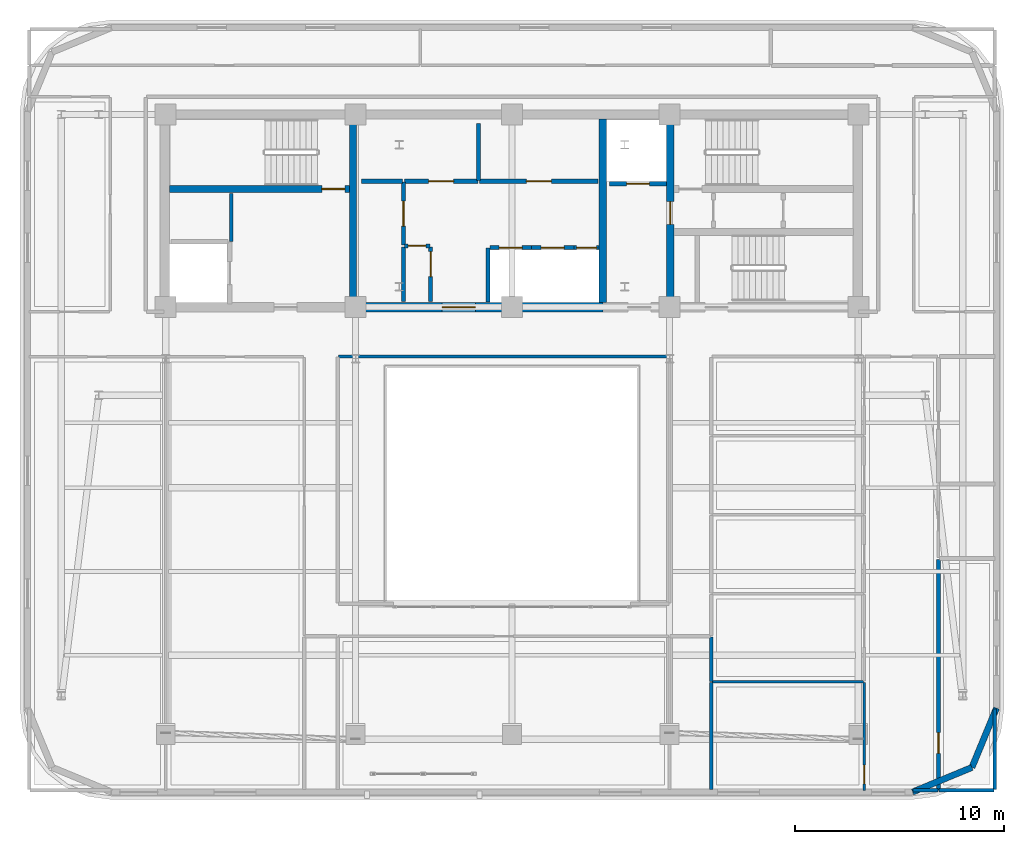
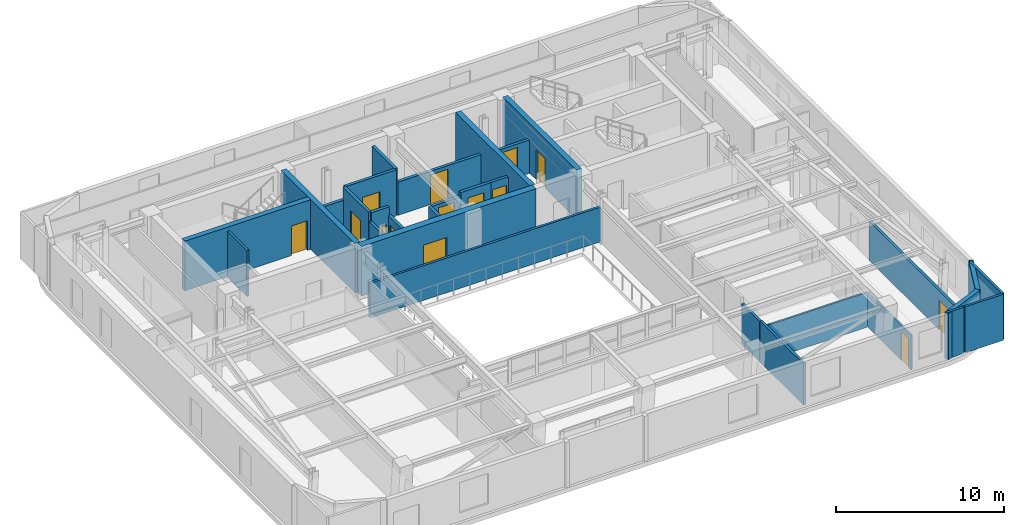
# One storey, part 7 of 13: 30 walls, 14 doors, 14 openings.
"""IFC4 building model written with IfcOpenShell, lengths in metres."""

from ifc_helpers import new_model, si_unit, direction, frame, frame_2d, origin, place, context, subcontext, project, spatial, rectangle, extrude, material, layer, layer_set, type_object, element, fill, save


model = new_model("IFC4")

# Units and contexts
model_context = context("Model", 3, precision=1e-05, world=origin(), true_north=direction((0.0, 1.0)))
body_context = subcontext(model_context, "Body", "Model", "MODEL_VIEW")
ifc_project = project(units=[si_unit("LENGTHUNIT", "METRE"), si_unit("AREAUNIT", "SQUARE_METRE"), si_unit("VOLUMEUNIT", "CUBIC_METRE"), si_unit("PLANEANGLEUNIT", "RADIAN"), si_unit("MASSUNIT", "GRAM", prefix="KILO")], contexts=[model_context])

# Site, building, storey
site_placement = place(None, origin())
site = spatial("IfcSite", under=ifc_project, at=site_placement, CompositionType="ELEMENT")
building_placement = place(site_placement, origin())
building = spatial("IfcBuilding", under=site, at=building_placement, Name="Zarnavel Station Tower", CompositionType="ELEMENT")
storey_placement = place(building_placement, frame((0.0, 0.0, 207.60009765625)))
storey = spatial("IfcBuildingStorey", under=building, at=storey_placement, Name="L56", CompositionType="ELEMENT", Elevation=207.60009765625)

# Walls
ifc_material_1 = material(Name="Concrete C50/60", Category="concrete")
ifc_layer_1 = layer(ifc_material_1, 0.35009765625)
ifc_layer_set_1 = layer_set([ifc_layer_1], Name="CW_350")
wall_type_1 = type_object("IfcWallType", Name="CW_350", PredefinedType="SHEAR", material=ifc_layer_set_1)
for number, where, z_axis, x_axis, name in (
    (1, (21.179931640625, 28.044921875, 0.0), (0.0, 0.0, 1.0), (0.0, 1.0, 0.0), "L56 Rear Core Shear Wall DIV-W"),
    (2, (33.14990234375, 28.044921875, 0.0), (0.0, 0.0, 1.0), (0.0, 1.0, 0.0), "L56 Rear Core Shear Wall DIV-E"),
):
    element("IfcWall", number, at=place(storey_placement, frame(where, z_axis=z_axis, x_axis=x_axis)), inside=storey, type_object=wall_type_1, Name=name, PredefinedType="SHEAR", context=body_context, shape_type="SweptSolid", body=[
        extrude(rectangle(XDim=8.780029296875, YDim=0.35009765625, at=frame_2d((4.39013671875, 0.0))), origin(), (0.0, 0.0, 1.0), 3.599853515625),
    ])

# Wall, opening, door
wall_1_placement = place(storey_placement, frame((36.3798828125, 28.044921875, 0.0), z_axis=(0.0, 0.0, 1.0), x_axis=(0.0, 1.0, 0.0)))
wall_1 = element("IfcWall", 3, at=wall_1_placement, inside=storey, type_object=wall_type_1, Name="L56 Rear Core Shear Wall DIV-S2", PredefinedType="SHEAR", context=body_context, shape_type="SweptSolid", body=[
    extrude(rectangle(XDim=8.780029296875, YDim=0.35009765625, at=frame_2d((4.39013671875, 0.0))), origin(), (0.0, 0.0, 1.0), 3.599853515625),
])
opening_1_placement = place(wall_1_placement, frame((3.735107421875, 0.0, 0.0)))
opening_1 = element("IfcOpeningElement", 4, at=opening_1_placement, cuts=wall_1, Name="Opening FD01", PredefinedType="OPENING", context=body_context, shape_type="SweptSolid", body=[
    extrude(rectangle(XDim=1.10009765625, YDim=2.14990234375, at=frame_2d((0.550048828125, 1.074951171875))), frame((0.0, 0.18505859375, 0.0), z_axis=(0.0, -1.0, 0.0), x_axis=(1.0, 0.0, 0.0)), (0.0, 0.0, 1.0), 0.3701171875),
])
ifc_material_2 = material(Name="Painted Galvanised Steel and Hardwood Leaf", Category="steel")
door_type_1 = type_object("IfcDoorType", Name="ID_STAIR_1100", OperationType="NOTDEFINED", PredefinedType="DOOR", material=ifc_material_2)
door_1_placement = place(opening_1_placement, origin())
door_1 = element("IfcDoor", 5, at=door_1_placement, inside=storey, type_object=door_type_1, Name="L56 East Stair Vestibule Fire Door", OperationType="SINGLE_SWING_LEFT", OverallHeight=2.14990234375, OverallWidth=1.10009765625, PredefinedType="DOOR", context=body_context, shape_type="SweptSolid", body=[
    extrude(rectangle(XDim=1.10009765625, YDim=2.14990234375, at=frame_2d((0.550048828125, 1.074951171875))), frame((0.0, 0.02490234375, 0.0), z_axis=(0.0, -1.0, 0.0), x_axis=(1.0, 0.0, 0.0)), (0.0, 0.0, 1.0), 0.050048828125),
])
fill(opening_1, door_1)

wall_2_placement = place(storey_placement, frame((21.0048828125, 33.47998046875, 0.0), z_axis=(0.0, 0.0, 1.0), x_axis=(-1.0, 0.0, 0.0)))
wall_2 = element("IfcWall", 6, at=wall_2_placement, inside=storey, type_object=wall_type_1, Name="L56 Rear Core Shear Wall DIV-H1", PredefinedType="SHEAR", context=body_context, shape_type="SweptSolid", body=[
    extrude(rectangle(XDim=8.6298828125, YDim=0.35009765625, at=frame_2d((4.31494140625, 0.0))), origin(), (0.0, 0.0, 1.0), 3.599853515625),
])
opening_2_placement = place(wall_2_placement, frame((0.219970703125, 0.0, 0.0)))
opening_2 = element("IfcOpeningElement", 7, at=opening_2_placement, cuts=wall_2, Name="Opening FD01", PredefinedType="OPENING", context=body_context, shape_type="SweptSolid", body=[
    extrude(rectangle(XDim=1.10009765625, YDim=2.14990234375, at=frame_2d((0.550048828125, 1.074951171875))), frame((0.0, 0.18505859375, 0.0), z_axis=(0.0, -1.0, 0.0), x_axis=(1.0, 0.0, 0.0)), (0.0, 0.0, 1.0), 0.3701171875),
])
door_2_placement = place(opening_2_placement, origin())
door_2 = element("IfcDoor", 8, at=door_2_placement, inside=storey, type_object=door_type_1, Name="L56 Stair ST1 Lobby Fire Door", OperationType="SINGLE_SWING_LEFT", OverallHeight=2.14990234375, OverallWidth=1.10009765625, PredefinedType="DOOR", context=body_context, shape_type="SweptSolid", body=[
    extrude(rectangle(XDim=1.10009765625, YDim=2.14990234375, at=frame_2d((0.550048828125, 1.074951171875))), frame((0.0, 0.02490234375, 0.0), z_axis=(0.0, -1.0, 0.0), x_axis=(1.0, 0.0, 0.0)), (0.0, 0.0, 1.0), 0.050048828125),
])
fill(opening_2, door_2)

ifc_material_3 = material(Name="Concrete C50/60", Category="concrete")
ifc_layer_2 = layer(ifc_material_3, 0.449951171875)
ifc_layer_set_2 = layer_set([ifc_layer_2], Name="CW_450")
wall_type_2 = type_object("IfcWallType", Name="CW_450", PredefinedType="SHEAR", material=ifc_layer_set_2)
wall_3_placement = place(storey_placement, frame((33.14990234375, 27.820068359375, 0.0), z_axis=(0.0, 0.0, 1.0), x_axis=(-1.0, 0.0, 0.0)))
wall_3 = element("IfcWall", 9, at=wall_3_placement, inside=storey, type_object=wall_type_2, Name="L56 Rear Core Shear Wall S-M", PredefinedType="SHEAR", context=body_context, shape_type="SweptSolid", body=[
    extrude(rectangle(XDim=11.969970703125, YDim=0.449951171875, at=frame_2d((5.98486328125, 0.0))), origin(), (0.0, 0.0, 1.0), 3.599853515625),
])
opening_3_placement = place(wall_3_placement, frame((6.10009765625, 0.0, 0.0)))
opening_3 = element("IfcOpeningElement", 10, at=opening_3_placement, cuts=wall_3, Name="Opening ID03", PredefinedType="OPENING", context=body_context, shape_type="SweptSolid", body=[
    extrude(rectangle(XDim=1.60009765625, YDim=2.199951171875, at=frame_2d((0.800048828125, 1.10009765625))), frame((0.0, 0.23486328125, 0.0), z_axis=(0.0, -1.0, 0.0), x_axis=(1.0, 0.0, 0.0)), (0.0, 0.0, 1.0), 0.469970703125),
])
ifc_material_4 = material(Name="Painted Galvanised Steel and Hardwood Leaf", Category="steel")
door_type_2 = type_object("IfcDoorType", Name="ID_PUBLIC_1600", OperationType="DOUBLE_DOOR_SINGLE_SWING", PredefinedType="DOOR", material=ifc_material_4)
door_3_placement = place(opening_3_placement, origin())
door_3 = element("IfcDoor", 11, at=door_3_placement, inside=storey, type_object=door_type_2, Name="L56 Passenger Lift Lobby Double Door", OperationType="SINGLE_SWING_LEFT", OverallHeight=2.199951171875, OverallWidth=1.60009765625, PredefinedType="DOOR", context=body_context, shape_type="SweptSolid", body=[
    extrude(rectangle(XDim=1.60009765625, YDim=2.199951171875, at=frame_2d((0.800048828125, 1.10009765625))), frame((0.0, 0.02490234375, 0.0), z_axis=(0.0, -1.0, 0.0), x_axis=(1.0, 0.0, 0.0)), (0.0, 0.0, 1.0), 0.050048828125),
])
fill(opening_3, door_3)

# Walls
ifc_material_5 = material(Name="Precast concrete C45/55 (Dark Basalt Finish)", Category="masonry")
ifc_layer_3 = layer(ifc_material_5, 0.300048828125)
ifc_layer_set_3 = layer_set([ifc_layer_3], Name="EW_BASALT_300")
wall_type_3 = type_object("IfcWallType", Name="EW_BASALT_300", PredefinedType="SOLIDWALL", material=ifc_layer_set_3)
wall_4_placement = place(storey_placement, frame((50.842529296875, 5.75732421875, 0.0), z_axis=(0.0, 0.0, 1.0), x_axis=(-0.92389884758, -0.382636798336, 0.0)))
element("IfcWall", 12, at=wall_4_placement, inside=storey, type_object=wall_type_3, Name="L56 Exterior Basalt Masonry Frame Wall 01", PredefinedType="SOLIDWALL", context=body_context, shape_type="SweptSolid", body=[
    extrude(rectangle(XDim=3.07666015625, YDim=0.300048828125, at=frame_2d((1.538330078125, 0.0))), origin(), (0.0, 0.0, 1.0), 3.33984375),
])
wall_5_placement = place(storey_placement, frame((52.02001953125, 8.60009765625, 0.0), z_axis=(0.0, 0.0, 1.0), x_axis=(-0.382676475685, -0.923882414032, 0.0)))
element("IfcWall", 13, at=wall_5_placement, inside=storey, type_object=wall_type_3, Name="L56 Exterior Basalt Masonry Frame Wall 02", PredefinedType="SOLIDWALL", context=body_context, shape_type="SweptSolid", body=[
    extrude(rectangle(XDim=3.076904296875, YDim=0.300048828125, at=frame_2d((1.53857421875, 0.0))), origin(), (0.0, 0.0, 1.0), 3.33984375),
])
ifc_material_6 = material(Name="Gypsum Twin-Stud Acoustic Fire Partition", Category="concrete")
ifc_layer_4 = layer(ifc_material_6, 0.159912109375)
ifc_layer_set_4 = layer_set([ifc_layer_4], Name="PT_DEMISE_160")
wall_type_4 = type_object("IfcWallType", Name="PT_DEMISE_160", PredefinedType="PARTITIONING", material=ifc_layer_set_4)
wall_6_placement = place(storey_placement, frame((15.35009765625, 30.9599609375, 0.0), z_axis=(0.0, 0.0, 1.0), x_axis=(0.0, 1.0, 0.0)))
element("IfcWall", 14, at=wall_6_placement, inside=storey, type_object=wall_type_4, Name="L56 Enclosure Wall FFL1", PredefinedType="PARTITIONING", context=body_context, shape_type="SweptSolid", body=[
    extrude(rectangle(XDim=2.31005859375, YDim=0.159912109375, at=frame_2d((1.155029296875, 0.0))), origin(), (0.0, 0.0, 1.0), 3.33984375),
])
wall_7_placement = place(storey_placement, frame((20.47998046875, 25.449951171875, 0.0), z_axis=(0.0, 0.0, 1.0), x_axis=(1.0, 0.0, 0.0)))
element("IfcWall", 15, at=wall_7_placement, inside=storey, type_object=wall_type_4, Name="L56 Enclosure Wall COR-S", PredefinedType="PARTITIONING", context=body_context, shape_type="SweptSolid", body=[
    extrude(rectangle(XDim=15.840087890625, YDim=0.159912109375, at=frame_2d((7.919921875, 0.0))), origin(), (0.0, 0.0, 1.0), 2.52001953125),
])
wall_8_placement = place(storey_placement, frame((48.030029296875, 4.659912109375, 0.0), z_axis=(0.0, 0.0, 1.0), x_axis=(1.0, 0.0, 0.0)))
element("IfcWall", 16, at=wall_8_placement, inside=storey, type_object=wall_type_4, Name="L56 Enclosure Wall UE1LV", PredefinedType="PARTITIONING", context=body_context, shape_type="SweptSolid", body=[
    extrude(rectangle(XDim=1.179931640625, YDim=0.159912109375, at=frame_2d((0.58984375, 0.0))), origin(), (0.0, 0.0, 1.0), 3.33984375),
])
wall_9_placement = place(storey_placement, frame((49.27001953125, 4.659912109375, 0.0), z_axis=(0.0, 0.0, 1.0), x_axis=(1.0, 0.0, 0.0)))
element("IfcWall", 17, at=wall_9_placement, inside=storey, type_object=wall_type_4, Name="L56 Enclosure Wall UE1KT", PredefinedType="PARTITIONING", context=body_context, shape_type="SweptSolid", body=[
    extrude(rectangle(XDim=2.639892578125, YDim=0.159912109375, at=frame_2d((1.31982421875, 0.0))), origin(), (0.0, 0.0, 1.0), 3.33984375),
])
wall_10_placement = place(storey_placement, frame((51.93994140625, 4.68994140625, 0.0), z_axis=(0.0, 0.0, 1.0), x_axis=(0.0, 1.0, 0.0)))
element("IfcWall", 18, at=wall_10_placement, inside=storey, type_object=wall_type_4, Name="L56 Enclosure Wall UE1KT", PredefinedType="PARTITIONING", context=body_context, shape_type="SweptSolid", body=[
    extrude(rectangle(XDim=3.880126953125, YDim=0.159912109375, at=frame_2d((1.93994140625, 0.0))), origin(), (0.0, 0.0, 1.0), 3.33984375),
])
wall_11_placement = place(storey_placement, frame((38.35009765625, 4.68994140625, 0.0), z_axis=(0.0, 0.0, 1.0), x_axis=(0.0, 1.0, 0.0)))
element("IfcWall", 19, at=wall_11_placement, inside=storey, type_object=wall_type_4, Name="L56 Enclosure Wall UE1B1", PredefinedType="PARTITIONING", context=body_context, shape_type="SweptSolid", body=[
    extrude(rectangle(XDim=5.136962890625, YDim=0.159912109375, at=frame_2d((2.568359375, 0.0))), origin(), (0.0, 0.0, 1.0), 3.0),
])
wall_12_placement = place(storey_placement, frame((38.35009765625, 9.886962890625, 0.0), z_axis=(0.0, 0.0, 1.0), x_axis=(0.0, 1.0, 0.0)))
element("IfcWall", 20, at=wall_12_placement, inside=storey, type_object=wall_type_4, Name="L56 Enclosure Wall UE1B2", PredefinedType="PARTITIONING", context=body_context, shape_type="SweptSolid", body=[
    extrude(rectangle(XDim=2.133056640625, YDim=0.159912109375, at=frame_2d((1.06640625, 0.0))), origin(), (0.0, 0.0, 1.0), 2.929931640625),
])

# Wall, opening, door
ifc_material_7 = material(Name="Gypsum Metal-Stud Interior Partition", Category="concrete")
ifc_layer_5 = layer(ifc_material_7, 0.1201171875)
ifc_layer_set_5 = layer_set([ifc_layer_5], Name="PT_ROOM_120")
wall_type_5 = type_object("IfcWallType", Name="PT_ROOM_120", PredefinedType="PARTITIONING", material=ifc_layer_set_5)
wall_13_placement = place(storey_placement, frame((45.680908203125, 4.659912109375, 0.0), z_axis=(0.0, 0.0, 1.0), x_axis=(0.0, 1.0, 0.0)))
wall_13 = element("IfcWall", 21, at=wall_13_placement, inside=storey, type_object=wall_type_5, Name="L56 Partition UE1LV-UE1B1", PredefinedType="PARTITIONING", context=body_context, shape_type="SweptSolid", body=[
    extrude(rectangle(XDim=5.156982421875, YDim=0.1201171875, at=frame_2d((2.57861328125, 0.0))), origin(), (0.0, 0.0, 1.0), 2.52001953125),
])
opening_4_placement = place(wall_13_placement, frame((0.3056640625, 0.0, 0.0)))
opening_4 = element("IfcOpeningElement", 22, at=opening_4_placement, cuts=wall_13, Name="Opening ID01", PredefinedType="OPENING", context=body_context, shape_type="SweptSolid", body=[
    extrude(rectangle(XDim=0.89990234375, YDim=2.10009765625, at=frame_2d((0.449951171875, 1.050048828125))), frame((0.0, 0.070068359375, 0.0), z_axis=(0.0, -1.0, 0.0), x_axis=(1.0, 0.0, 0.0)), (0.0, 0.0, 1.0), 0.14013671875),
])
ifc_material_8 = material(Name="Painted Galvanised Steel and Hardwood Leaf", Category="steel")
door_type_3 = type_object("IfcDoorType", Name="ID_ROOM_900", OperationType="NOTDEFINED", PredefinedType="DOOR", material=ifc_material_8)
door_4_placement = place(opening_4_placement, origin())
door_4 = element("IfcDoor", 23, at=door_4_placement, inside=storey, type_object=door_type_3, Name="L56 Door UE1LV-UE1B1", OperationType="SINGLE_SWING_RIGHT", OverallHeight=2.10009765625, OverallWidth=0.89990234375, PredefinedType="DOOR", context=body_context, shape_type="SweptSolid", body=[
    extrude(rectangle(XDim=0.89990234375, YDim=2.10009765625, at=frame_2d((0.449951171875, 1.050048828125))), frame((0.0, 0.02490234375, 0.0), z_axis=(0.0, -1.0, 0.0), x_axis=(1.0, 0.0, 0.0)), (0.0, 0.0, 1.0), 0.050048828125),
])
fill(opening_4, door_4)

# Wall
wall_14_placement = place(storey_placement, frame((38.389892578125, 9.85693359375, 0.0), z_axis=(0.0, 0.0, 1.0), x_axis=(1.0, 0.0, 0.0)))
element("IfcWall", 24, at=wall_14_placement, inside=storey, type_object=wall_type_5, Name="L56 Partition UE1B1-UE1B2", PredefinedType="PARTITIONING", context=body_context, shape_type="SweptSolid", body=[
    extrude(rectangle(XDim=7.251220703125, YDim=0.1201171875, at=frame_2d((3.62548828125, 0.0))), origin(), (0.0, 0.0, 1.0), 2.52001953125),
])

# Wall, opening, door
ifc_material_9 = material(Name="Precast concrete C45/55 (Fire Shaft Blockwork)", Category="masonry")
ifc_layer_6 = layer(ifc_material_9, 0.199951171875)
ifc_layer_set_6 = layer_set([ifc_layer_6], Name="PT_SHAFT_200")
wall_type_6 = type_object("IfcWallType", Name="PT_SHAFT_200", PredefinedType="PARTITIONING", material=ifc_layer_set_6)
wall_15_placement = place(storey_placement, frame((33.47509765625, 33.72998046875, 0.0), z_axis=(0.0, 0.0, 1.0), x_axis=(1.0, 0.0, 0.0)))
wall_15 = element("IfcWall", 25, at=wall_15_placement, inside=storey, type_object=wall_type_6, Name="L56 Lift FFL-02 Shaft Front Wall", PredefinedType="PARTITIONING", context=body_context, shape_type="SweptSolid", body=[
    extrude(rectangle(XDim=2.724853515625, YDim=0.199951171875, at=frame_2d((1.3623046875, 0.0))), origin(), (0.0, 0.0, 1.0), 2.409912109375),
])
opening_5_placement = place(wall_15_placement, frame((0.8125, 0.0, 0.0)))
opening_5 = element("IfcOpeningElement", 26, at=opening_5_placement, cuts=wall_15, Name="Opening LD01", PredefinedType="OPENING", context=body_context, shape_type="SweptSolid", body=[
    extrude(rectangle(XDim=1.10009765625, YDim=2.14990234375, at=frame_2d((0.550048828125, 1.074951171875))), frame((0.0, 0.10986328125, 0.0), z_axis=(0.0, -1.0, 0.0), x_axis=(1.0, 0.0, 0.0)), (0.0, 0.0, 1.0), 0.219970703125),
])
ifc_material_10 = material(Name="Painted Galvanised Steel and Hardwood Leaf", Category="steel")
door_type_4 = type_object("IfcDoorType", Name="LD_FF_1100", OperationType="DOUBLE_DOOR_SLIDING", PredefinedType="DOOR", material=ifc_material_10)
door_5_placement = place(opening_5_placement, origin())
door_5 = element("IfcDoor", 27, at=door_5_placement, inside=storey, type_object=door_type_4, Name="L56 Lift FFL-02 Sliding Landing Door", OperationType="DOUBLE_DOOR_SLIDING", OverallHeight=2.14990234375, OverallWidth=1.10009765625, PredefinedType="DOOR", context=body_context, shape_type="SweptSolid", body=[
    extrude(rectangle(XDim=1.10009765625, YDim=2.14990234375, at=frame_2d((0.550048828125, 1.074951171875))), frame((0.0, 0.02490234375, 0.0), z_axis=(0.0, -1.0, 0.0), x_axis=(1.0, 0.0, 0.0)), (0.0, 0.0, 1.0), 0.050048828125),
])
fill(opening_5, door_5)

wall_16_placement = place(storey_placement, frame((27.75, 30.669921875, 0.0), z_axis=(0.0, 0.0, 1.0), x_axis=(1.0, 0.0, 0.0)))
wall_16 = element("IfcWall", 28, at=wall_16_placement, inside=storey, type_object=wall_type_6, Name="L56 Lift PL-H1 Shaft Front Wall", PredefinedType="PARTITIONING", context=body_context, shape_type="SweptSolid", body=[
    extrude(rectangle(XDim=1.97509765625, YDim=0.199951171875, at=frame_2d((0.987548828125, 0.0))), origin(), (0.0, 0.0, 1.0), 2.409912109375),
])
opening_6_placement = place(wall_16_placement, frame((0.4375, 0.0, 0.0)))
opening_6 = element("IfcOpeningElement", 29, at=opening_6_placement, cuts=wall_16, Name="Opening LD02", PredefinedType="OPENING", context=body_context, shape_type="SweptSolid", body=[
    extrude(rectangle(XDim=1.10009765625, YDim=2.14990234375, at=frame_2d((0.550048828125, 1.074951171875))), frame((0.0, 0.10986328125, 0.0), z_axis=(0.0, -1.0, 0.0), x_axis=(1.0, 0.0, 0.0)), (0.0, 0.0, 1.0), 0.219970703125),
])
ifc_material_11 = material(Name="Painted Galvanised Steel and Hardwood Leaf", Category="steel")
door_type_5 = type_object("IfcDoorType", Name="LD_PAX_1100", OperationType="DOUBLE_DOOR_SLIDING", PredefinedType="DOOR", material=ifc_material_11)
door_6_placement = place(opening_6_placement, origin())
door_6 = element("IfcDoor", 30, at=door_6_placement, inside=storey, type_object=door_type_5, Name="L56 Lift PL-H1 Sliding Landing Door", OperationType="DOUBLE_DOOR_SLIDING", OverallHeight=2.14990234375, OverallWidth=1.10009765625, PredefinedType="DOOR", context=body_context, shape_type="SweptSolid", body=[
    extrude(rectangle(XDim=1.10009765625, YDim=2.14990234375, at=frame_2d((0.550048828125, 1.074951171875))), frame((0.0, 0.02490234375, 0.0), z_axis=(0.0, -1.0, 0.0), x_axis=(1.0, 0.0, 0.0)), (0.0, 0.0, 1.0), 0.050048828125),
])
fill(opening_6, door_6)

# Wall
wall_17_placement = place(storey_placement, frame((27.64990234375, 28.070068359375, 0.0), z_axis=(0.0, 0.0, 1.0), x_axis=(0.0, 1.0, 0.0)))
element("IfcWall", 31, at=wall_17_placement, inside=storey, type_object=wall_type_6, Name="L56 High-Rise Lift Bank West Shaft Wall", PredefinedType="PARTITIONING", context=body_context, shape_type="SweptSolid", body=[
    extrude(rectangle(XDim=2.579833984375, YDim=0.199951171875, at=frame_2d((1.2900390625, 0.0))), origin(), (0.0, 0.0, 1.0), 2.409912109375),
])

# Wall, opening, door
wall_18_placement = place(storey_placement, frame((29.72509765625, 30.669921875, 0.0), z_axis=(0.0, 0.0, 1.0), x_axis=(1.0, 0.0, 0.0)))
wall_18 = element("IfcWall", 32, at=wall_18_placement, inside=storey, type_object=wall_type_6, Name="L56 Lift PL-H2 Shaft Front Wall", PredefinedType="PARTITIONING", context=body_context, shape_type="SweptSolid", body=[
    extrude(rectangle(XDim=2.0498046875, YDim=0.199951171875, at=frame_2d((1.02490234375, 0.0))), origin(), (0.0, 0.0, 1.0), 2.719970703125),
])
opening_7_placement = place(wall_18_placement, frame((0.47509765625, 0.0, 0.0)))
opening_7 = element("IfcOpeningElement", 33, at=opening_7_placement, cuts=wall_18, Name="Opening LD02", PredefinedType="OPENING", context=body_context, shape_type="SweptSolid", body=[
    extrude(rectangle(XDim=1.10009765625, YDim=2.14990234375, at=frame_2d((0.550048828125, 1.074951171875))), frame((0.0, 0.10986328125, 0.0), z_axis=(0.0, -1.0, 0.0), x_axis=(1.0, 0.0, 0.0)), (0.0, 0.0, 1.0), 0.219970703125),
])
door_7_placement = place(opening_7_placement, origin())
door_7 = element("IfcDoor", 34, at=door_7_placement, inside=storey, type_object=door_type_5, Name="L56 Lift PL-H2 Sliding Landing Door", OperationType="DOUBLE_DOOR_SLIDING", OverallHeight=2.14990234375, OverallWidth=1.10009765625, PredefinedType="DOOR", context=body_context, shape_type="SweptSolid", body=[
    extrude(rectangle(XDim=1.10009765625, YDim=2.14990234375, at=frame_2d((0.550048828125, 1.074951171875))), frame((0.0, 0.02490234375, 0.0), z_axis=(0.0, -1.0, 0.0), x_axis=(1.0, 0.0, 0.0)), (0.0, 0.0, 1.0), 0.050048828125),
])
fill(opening_7, door_7)

wall_19_placement = place(storey_placement, frame((31.77490234375, 30.669921875, 0.0), z_axis=(0.0, 0.0, 1.0), x_axis=(1.0, 0.0, 0.0)))
wall_19 = element("IfcWall", 35, at=wall_19_placement, inside=storey, type_object=wall_type_6, Name="L56 Lift PL-H3 Shaft Front Wall", PredefinedType="PARTITIONING", context=body_context, shape_type="SweptSolid", body=[
    extrude(rectangle(XDim=1.2001953125, YDim=0.199951171875, at=frame_2d((0.60009765625, 0.0))), origin(), (0.0, 0.0, 1.0), 2.719970703125),
])
opening_8_placement = place(wall_19_placement, frame((0.125, 0.0, 0.0)))
opening_8 = element("IfcOpeningElement", 36, at=opening_8_placement, cuts=wall_19, Name="Opening LD03", PredefinedType="OPENING", context=body_context, shape_type="SweptSolid", body=[
    extrude(rectangle(XDim=0.949951171875, YDim=2.14990234375, at=frame_2d((0.47509765625, 1.074951171875))), frame((0.0, 0.10986328125, 0.0), z_axis=(0.0, -1.0, 0.0), x_axis=(1.0, 0.0, 0.0)), (0.0, 0.0, 1.0), 0.219970703125),
])
ifc_material_12 = material(Name="Painted Galvanised Steel and Hardwood Leaf", Category="steel")
door_type_6 = type_object("IfcDoorType", Name="LD_PAX_0950", OperationType="DOUBLE_DOOR_SLIDING", PredefinedType="DOOR", material=ifc_material_12)
door_8_placement = place(opening_8_placement, origin())
door_8 = element("IfcDoor", 37, at=door_8_placement, inside=storey, type_object=door_type_6, Name="L56 Lift PL-H3 Sliding Landing Door", OperationType="DOUBLE_DOOR_SLIDING", OverallHeight=2.14990234375, OverallWidth=0.949951171875, PredefinedType="DOOR", context=body_context, shape_type="SweptSolid", body=[
    extrude(rectangle(XDim=0.949951171875, YDim=2.14990234375, at=frame_2d((0.47509765625, 1.074951171875))), frame((0.0, 0.02490234375, 0.0), z_axis=(0.0, -1.0, 0.0), x_axis=(1.0, 0.0, 0.0)), (0.0, 0.0, 1.0), 0.050048828125),
])
fill(opening_8, door_8)

wall_20_placement = place(storey_placement, frame((23.60009765625, 30.7900390625, 0.0), z_axis=(0.0, 0.0, 1.0), x_axis=(0.0, 1.0, 0.0)))
wall_20 = element("IfcWall", 38, at=wall_20_placement, inside=storey, type_object=wall_type_6, Name="L56 Partition LLOB-CS1", PredefinedType="PARTITIONING", context=body_context, shape_type="SweptSolid", body=[
    extrude(rectangle(XDim=3.02001953125, YDim=0.199951171875, at=frame_2d((1.510009765625, 0.0))), origin(), (0.0, 0.0, 1.0), 3.33984375),
])
opening_9_placement = place(wall_20_placement, frame((0.909912109375, 0.0, 0.0)))
opening_9 = element("IfcOpeningElement", 39, at=opening_9_placement, cuts=wall_20, Name="Opening FD03", PredefinedType="OPENING", context=body_context, shape_type="SweptSolid", body=[
    extrude(rectangle(XDim=1.199951171875, YDim=2.14990234375, at=frame_2d((0.60009765625, 1.074951171875))), frame((0.0, 0.10986328125, 0.0), z_axis=(0.0, -1.0, 0.0), x_axis=(1.0, 0.0, 0.0)), (0.0, 0.0, 1.0), 0.219970703125),
])
ifc_material_13 = material(Name="Painted Galvanised Steel and Hardwood Leaf", Category="steel")
door_type_7 = type_object("IfcDoorType", Name="ID_PLANT_1200", OperationType="NOTDEFINED", PredefinedType="DOOR", material=ifc_material_13)
door_9_placement = place(opening_9_placement, origin())
door_9 = element("IfcDoor", 40, at=door_9_placement, inside=storey, type_object=door_type_7, Name="L56 Door LLOB-CS1", OperationType="SINGLE_SWING_RIGHT", OverallHeight=2.14990234375, OverallWidth=1.199951171875, PredefinedType="DOOR", context=body_context, shape_type="SweptSolid", body=[
    extrude(rectangle(XDim=1.199951171875, YDim=2.14990234375, at=frame_2d((0.60009765625, 1.074951171875))), frame((0.0, 0.02490234375, 0.0), z_axis=(0.0, -1.0, 0.0), x_axis=(1.0, 0.0, 0.0)), (0.0, 0.0, 1.0), 0.050048828125),
])
fill(opening_9, door_9)

wall_21_placement = place(storey_placement, frame((23.639892578125, 30.75, 0.0), z_axis=(0.0, 0.0, 1.0), x_axis=(1.0, 0.0, 0.0)))
wall_21 = element("IfcWall", 41, at=wall_21_placement, inside=storey, type_object=wall_type_6, Name="L56 Partition LLOB-CS2", PredefinedType="PARTITIONING", context=body_context, shape_type="SweptSolid", body=[
    extrude(rectangle(XDim=1.22021484375, YDim=0.199951171875, at=frame_2d((0.610107421875, 0.0))), origin(), (0.0, 0.0, 1.0), 3.33984375),
])
opening_10_placement = place(wall_21_placement, frame((0.18505859375, 0.0, 0.0)))
opening_10 = element("IfcOpeningElement", 42, at=opening_10_placement, cuts=wall_21, Name="Opening ID02", PredefinedType="OPENING", context=body_context, shape_type="SweptSolid", body=[
    extrude(rectangle(XDim=0.85009765625, YDim=2.10009765625, at=frame_2d((0.425048828125, 1.050048828125))), frame((0.0, 0.10986328125, 0.0), z_axis=(0.0, -1.0, 0.0), x_axis=(1.0, 0.0, 0.0)), (0.0, 0.0, 1.0), 0.219970703125),
])
ifc_material_14 = material(Name="Painted Galvanised Steel and Hardwood Leaf", Category="steel")
door_type_8 = type_object("IfcDoorType", Name="ID_BATH_850", OperationType="NOTDEFINED", PredefinedType="DOOR", material=ifc_material_14)
door_10_placement = place(opening_10_placement, origin())
door_10 = element("IfcDoor", 43, at=door_10_placement, inside=storey, type_object=door_type_8, Name="L56 Door LLOB-CS2", OperationType="SINGLE_SWING_LEFT", OverallHeight=2.10009765625, OverallWidth=0.85009765625, PredefinedType="DOOR", context=body_context, shape_type="SweptSolid", body=[
    extrude(rectangle(XDim=0.85009765625, YDim=2.10009765625, at=frame_2d((0.425048828125, 1.050048828125))), frame((0.0, 0.02490234375, 0.0), z_axis=(0.0, -1.0, 0.0), x_axis=(1.0, 0.0, 0.0)), (0.0, 0.0, 1.0), 0.050048828125),
])
fill(opening_10, door_10)

wall_22_placement = place(storey_placement, frame((23.639892578125, 33.85009765625, 0.0), z_axis=(0.0, 0.0, 1.0), x_axis=(1.0, 0.0, 0.0)))
wall_22 = element("IfcWall", 44, at=wall_22_placement, inside=storey, type_object=wall_type_6, Name="L56 Partition LLOB-FB2A", PredefinedType="PARTITIONING", context=body_context, shape_type="SweptSolid", body=[
    extrude(rectangle(XDim=3.52001953125, YDim=0.199951171875, at=frame_2d((1.760009765625, 0.0))), origin(), (0.0, 0.0, 1.0), 3.33984375),
])
opening_11_placement = place(wall_22_placement, frame((1.159912109375, 0.0, 0.0)))
opening_11 = element("IfcOpeningElement", 45, at=opening_11_placement, cuts=wall_22, Name="Opening FD03", PredefinedType="OPENING", context=body_context, shape_type="SweptSolid", body=[
    extrude(rectangle(XDim=1.199951171875, YDim=2.14990234375, at=frame_2d((0.60009765625, 1.074951171875))), frame((0.0, 0.10986328125, 0.0), z_axis=(0.0, -1.0, 0.0), x_axis=(1.0, 0.0, 0.0)), (0.0, 0.0, 1.0), 0.219970703125),
])
door_11_placement = place(opening_11_placement, origin())
door_11 = element("IfcDoor", 46, at=door_11_placement, inside=storey, type_object=door_type_7, Name="L56 Door LLOB-FB2A", OperationType="SINGLE_SWING_RIGHT", OverallHeight=2.14990234375, OverallWidth=1.199951171875, PredefinedType="DOOR", context=body_context, shape_type="SweptSolid", body=[
    extrude(rectangle(XDim=1.199951171875, YDim=2.14990234375, at=frame_2d((0.60009765625, 1.074951171875))), frame((0.0, 0.02490234375, 0.0), z_axis=(0.0, -1.0, 0.0), x_axis=(1.0, 0.0, 0.0)), (0.0, 0.0, 1.0), 0.050048828125),
])
fill(opening_11, door_11)

wall_23_placement = place(storey_placement, frame((27.239990234375, 33.85009765625, 0.0), z_axis=(0.0, 0.0, 1.0), x_axis=(1.0, 0.0, 0.0)))
wall_23 = element("IfcWall", 47, at=wall_23_placement, inside=storey, type_object=wall_type_6, Name="L56 Partition LLOB-FB2B", PredefinedType="PARTITIONING", context=body_context, shape_type="SweptSolid", body=[
    extrude(rectangle(XDim=5.68994140625, YDim=0.199951171875, at=frame_2d((2.844970703125, 0.0))), origin(), (0.0, 0.0, 1.0), 2.409912109375),
])
opening_12_placement = place(wall_23_placement, frame((2.2451171875, 0.0, 0.0)))
opening_12 = element("IfcOpeningElement", 48, at=opening_12_placement, cuts=wall_23, Name="Opening FD03", PredefinedType="OPENING", context=body_context, shape_type="SweptSolid", body=[
    extrude(rectangle(XDim=1.199951171875, YDim=2.14990234375, at=frame_2d((0.60009765625, 1.074951171875))), frame((0.0, 0.10986328125, 0.0), z_axis=(0.0, -1.0, 0.0), x_axis=(1.0, 0.0, 0.0)), (0.0, 0.0, 1.0), 0.219970703125),
])
door_12_placement = place(opening_12_placement, origin())
door_12 = element("IfcDoor", 49, at=door_12_placement, inside=storey, type_object=door_type_7, Name="L56 Door LLOB-FB2B", OperationType="SINGLE_SWING_LEFT", OverallHeight=2.14990234375, OverallWidth=1.199951171875, PredefinedType="DOOR", context=body_context, shape_type="SweptSolid", body=[
    extrude(rectangle(XDim=1.199951171875, YDim=2.14990234375, at=frame_2d((0.60009765625, 1.074951171875))), frame((0.0, 0.02490234375, 0.0), z_axis=(0.0, -1.0, 0.0), x_axis=(1.0, 0.0, 0.0)), (0.0, 0.0, 1.0), 0.050048828125),
])
fill(opening_12, door_12)

wall_24_placement = place(storey_placement, frame((24.89990234375, 28.090087890625, 0.0), z_axis=(0.0, 0.0, 1.0), x_axis=(0.0, 1.0, 0.0)))
wall_24 = element("IfcWall", 50, at=wall_24_placement, inside=storey, type_object=wall_type_6, Name="L56 Partition LLOBS-CS2", PredefinedType="PARTITIONING", context=body_context, shape_type="SweptSolid", body=[
    extrude(rectangle(XDim=2.619873046875, YDim=0.199951171875, at=frame_2d((1.31005859375, 0.0))), origin(), (0.0, 0.0, 1.0), 2.719970703125),
])
opening_13_placement = place(wall_24_placement, frame((1.18505859375, 0.0, 0.0)))
opening_13 = element("IfcOpeningElement", 51, at=opening_13_placement, cuts=wall_24, Name="Opening FD03", PredefinedType="OPENING", context=body_context, shape_type="SweptSolid", body=[
    extrude(rectangle(XDim=1.199951171875, YDim=2.14990234375, at=frame_2d((0.60009765625, 1.074951171875))), frame((0.0, 0.10986328125, 0.0), z_axis=(0.0, -1.0, 0.0), x_axis=(1.0, 0.0, 0.0)), (0.0, 0.0, 1.0), 0.219970703125),
])
door_13_placement = place(opening_13_placement, origin())
door_13 = element("IfcDoor", 52, at=door_13_placement, inside=storey, type_object=door_type_7, Name="L56 Door LLOBS-CS2", OperationType="SINGLE_SWING_RIGHT", OverallHeight=2.14990234375, OverallWidth=1.199951171875, PredefinedType="DOOR", context=body_context, shape_type="SweptSolid", body=[
    extrude(rectangle(XDim=1.199951171875, YDim=2.14990234375, at=frame_2d((0.60009765625, 1.074951171875))), frame((0.0, 0.02490234375, 0.0), z_axis=(0.0, -1.0, 0.0), x_axis=(1.0, 0.0, 0.0)), (0.0, 0.0, 1.0), 0.050048828125),
])
fill(opening_13, door_13)

# Walls
wall_25_placement = place(storey_placement, frame((23.60009765625, 28.090087890625, 0.0), z_axis=(0.0, 0.0, 1.0), x_axis=(0.0, 1.0, 0.0)))
element("IfcWall", 53, at=wall_25_placement, inside=storey, type_object=wall_type_6, Name="L56 Partition CS1-CS2", PredefinedType="PARTITIONING", context=body_context, shape_type="SweptSolid", body=[
    extrude(rectangle(XDim=2.619873046875, YDim=0.199951171875, at=frame_2d((1.31005859375, 0.0))), origin(), (0.0, 0.0, 1.0), 2.719970703125),
])
wall_26_placement = place(storey_placement, frame((21.590087890625, 33.85009765625, 0.0), z_axis=(0.0, 0.0, 1.0), x_axis=(1.0, 0.0, 0.0)))
element("IfcWall", 54, at=wall_26_placement, inside=storey, type_object=wall_type_6, Name="L56 Partition CS1-FB2A", PredefinedType="PARTITIONING", context=body_context, shape_type="SweptSolid", body=[
    extrude(rectangle(XDim=1.969970703125, YDim=0.199951171875, at=frame_2d((0.98486328125, 0.0))), origin(), (0.0, 0.0, 1.0), 2.409912109375),
])
wall_27_placement = place(storey_placement, frame((27.199951171875, 33.889892578125, 0.0), z_axis=(0.0, 0.0, 1.0), x_axis=(0.0, 1.0, 0.0)))
element("IfcWall", 55, at=wall_27_placement, inside=storey, type_object=wall_type_6, Name="L56 Partition FB2A-FB2B", PredefinedType="PARTITIONING", context=body_context, shape_type="SweptSolid", body=[
    extrude(rectangle(XDim=2.72021484375, YDim=0.199951171875, at=frame_2d((1.360107421875, 0.0))), origin(), (0.0, 0.0, 1.0), 3.33984375),
])

# Wall, opening, door
ifc_material_15 = material(Name="Moisture-Resistant Plumbing Chase Wall", Category="concrete")
ifc_layer_7 = layer(ifc_material_15, 0.179931640625)
ifc_layer_set_7 = layer_set([ifc_layer_7], Name="PW_PLUMB_180")
wall_type_7 = type_object("IfcWallType", Name="PW_PLUMB_180", PredefinedType="PLUMBINGWALL", material=ifc_layer_set_7)
wall_28_placement = place(storey_placement, frame((49.239990234375, 4.659912109375, 0.0), z_axis=(0.0, 0.0, 1.0), x_axis=(0.0, 1.0, 0.0)))
wall_28 = element("IfcWall", 56, at=wall_28_placement, inside=storey, type_object=wall_type_7, Name="L56 Partition UE1LV-UE1KT", PredefinedType="PLUMBINGWALL", context=body_context, shape_type="SweptSolid", body=[
    extrude(rectangle(XDim=11.071044921875, YDim=0.179931640625, at=frame_2d((5.53564453125, 0.0))), origin(), (0.0, 0.0, 1.0), 2.81982421875),
])
opening_14_placement = place(wall_28_placement, frame((1.771728515625, 0.0, 0.0)))
opening_14 = element("IfcOpeningElement", 57, at=opening_14_placement, cuts=wall_28, Name="Opening FD02", PredefinedType="OPENING", context=body_context, shape_type="SweptSolid", body=[
    extrude(rectangle(XDim=1.0, YDim=2.14990234375, at=frame_2d((0.5, 1.074951171875))), frame((0.0, 0.099853515625, 0.0), z_axis=(0.0, -1.0, 0.0), x_axis=(1.0, 0.0, 0.0)), (0.0, 0.0, 1.0), 0.199951171875),
])
ifc_material_16 = material(Name="Painted Galvanised Steel and Hardwood Leaf", Category="steel")
door_type_9 = type_object("IfcDoorType", Name="ID_ENTRY_1000", OperationType="NOTDEFINED", PredefinedType="DOOR", material=ifc_material_16)
door_14_placement = place(opening_14_placement, origin())
door_14 = element("IfcDoor", 58, at=door_14_placement, inside=storey, type_object=door_type_9, Name="L56 Door UE1LV-UE1KT", OperationType="SINGLE_SWING_LEFT", OverallHeight=2.14990234375, OverallWidth=1.0, PredefinedType="DOOR", context=body_context, shape_type="SweptSolid", body=[
    extrude(rectangle(XDim=1.0, YDim=2.14990234375, at=frame_2d((0.5, 1.074951171875))), frame((0.0, 0.02490234375, 0.0), z_axis=(0.0, -1.0, 0.0), x_axis=(1.0, 0.0, 0.0)), (0.0, 0.0, 1.0), 0.050048828125),
])
fill(opening_14, door_14)

save(model, "model.ifc")
